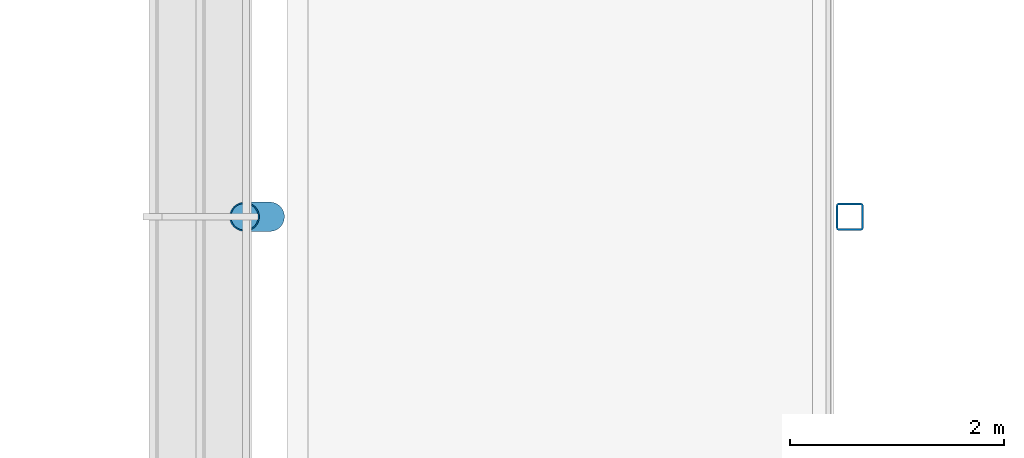
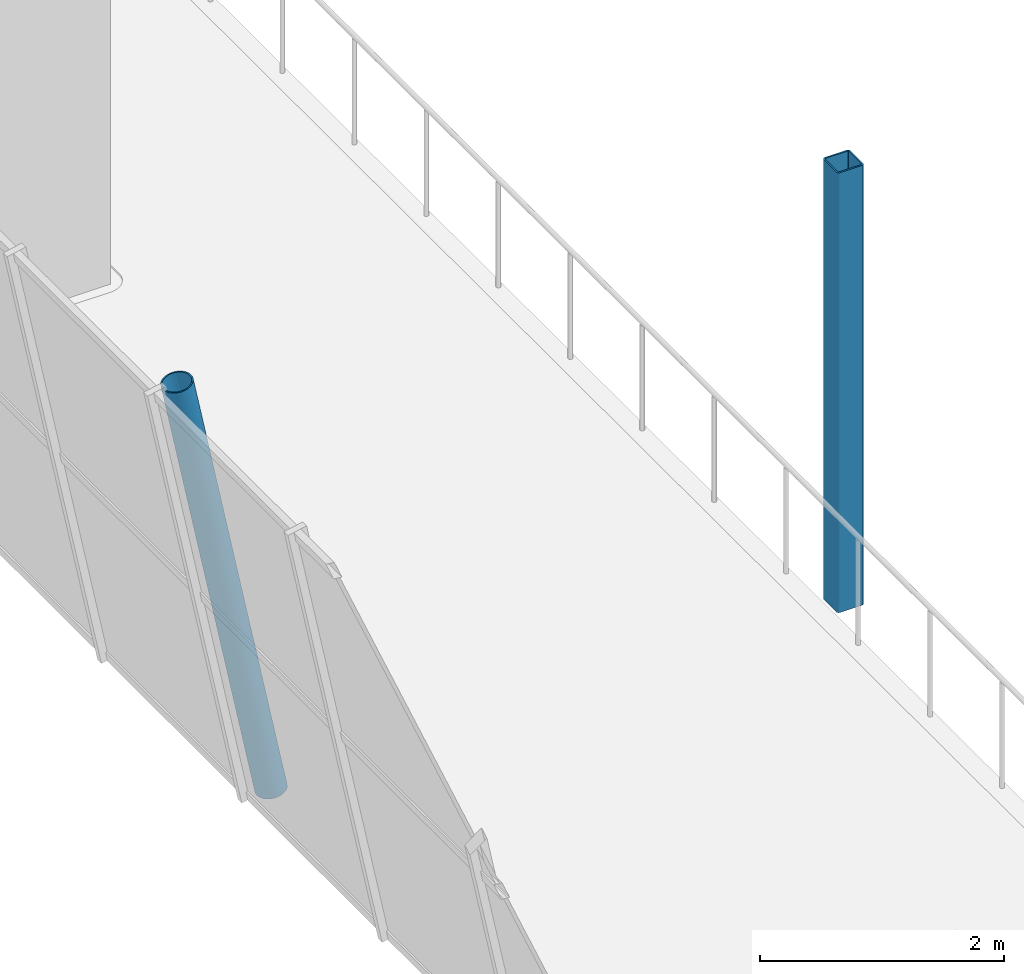
# One storey, part 3 of 115: 2 columns.
"""IFC4 building model written with IfcOpenShell, lengths in metres."""

from ifc_helpers import new_model, si_unit, direction, frame, origin, origin_2d, place, context, subcontext, project, spatial, hollow_rectangle, hollow_circle, extrude, material, material_profile, profile_set, type_object, element, save


model = new_model("IFC4")

# Units and contexts
model_context = context("Model", 3, precision=1e-05, world=origin(), true_north=direction((0.0, 1.0)))
body_context = subcontext(model_context, "Body", "Model", "MODEL_VIEW")
ifc_project = project(units=[si_unit("LENGTHUNIT", "METRE"), si_unit("AREAUNIT", "SQUARE_METRE"), si_unit("VOLUMEUNIT", "CUBIC_METRE"), si_unit("PLANEANGLEUNIT", "RADIAN"), si_unit("MASSUNIT", "GRAM", prefix="KILO")], contexts=[model_context])

# Site, building, storey
site_placement = place(None, origin())
site = spatial("IfcSite", under=ifc_project, at=site_placement, CompositionType="ELEMENT")
building_placement = place(site_placement, origin())
building = spatial("IfcBuilding", under=site, at=building_placement, Name="Windward Yard Aquatics Centre", CompositionType="ELEMENT")
storey_placement = place(building_placement, frame((0.0, 0.0, 5.0)))
storey = spatial("IfcBuildingStorey", under=building, at=storey_placement, Name="L01", CompositionType="ELEMENT", Elevation=5.0)

# Columns
ifc_material = material(Name="Steel ASTM A500 Gr C", Category="steel")
ifc_material_profile_1 = material_profile(ifc_material, hollow_rectangle(XDim=0.25390625, YDim=0.25390625, WallThickness=0.015869140625, InnerFilletRadius=0.008056640625, OuterFilletRadius=0.02392578125, at=origin_2d()), Name="HSS254X254X15.9")
ifc_profile_set_1 = profile_set([ifc_material_profile_1], Name="Steel ASTM A500 Gr C")
column_type_1 = type_object("IfcColumnType", Name="H inner column HSS254X254X15.9", PredefinedType="COLUMN", material=ifc_profile_set_1)
column_1_placement = place(storey_placement, frame((57.709716796875, 61.0, 0.0), z_axis=(0.0, 0.0, 1.0), x_axis=(1.0, 0.0, 0.0)))
element("IfcColumn", 1, at=column_1_placement, inside=storey, type_object=column_type_1, Name="H.IC.W3.L01", PredefinedType="COLUMN", context=body_context, shape_type="SweptSolid", body=[
    extrude(hollow_rectangle(XDim=0.25390625, YDim=0.25390625, WallThickness=0.015869140625, InnerFilletRadius=0.008056640625, OuterFilletRadius=0.02392578125, at=origin_2d()), origin(), (0.0, 0.0, 1.0), 4.39990234375),
])
ifc_material_profile_2 = material_profile(ifc_material, hollow_circle(Radius=0.136474609375, WallThickness=0.0126953125, at=origin_2d()), Name="HSS273.1X12.7")
ifc_profile_set_2 = profile_set([ifc_material_profile_2], Name="Steel ASTM A500 Gr C")
column_type_2 = type_object("IfcColumnType", Name="H tier 1 leg HSS273.1X12.7", PredefinedType="COLUMN", material=ifc_profile_set_2)
column_2_placement = place(storey_placement, frame((52.29443359375, 61.0, 0.02734375), z_axis=(-0.19937683017, 0.0, 0.979922894717), x_axis=(0.0, -1.0, 0.0)))
element("IfcColumn", 2, at=column_2_placement, inside=storey, type_object=column_type_2, Name="H.TL.W3.T1A.L01", PredefinedType="COLUMN", context=body_context, shape_type="SweptSolid", body=[
    extrude(hollow_circle(Radius=0.136474609375, WallThickness=0.0126953125, at=origin_2d()), origin(), (0.0, 0.0, 1.0), 4.462158203125),
])

save(model, "model.ifc")
